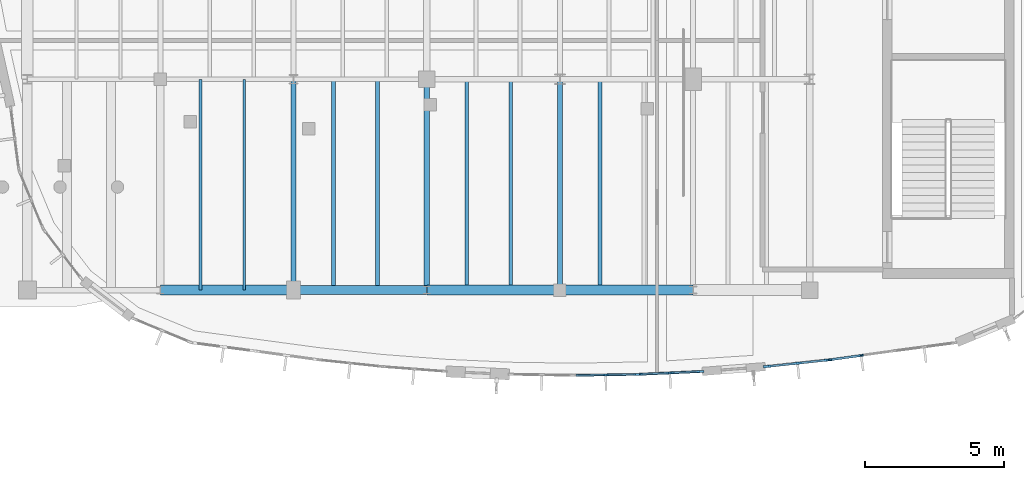
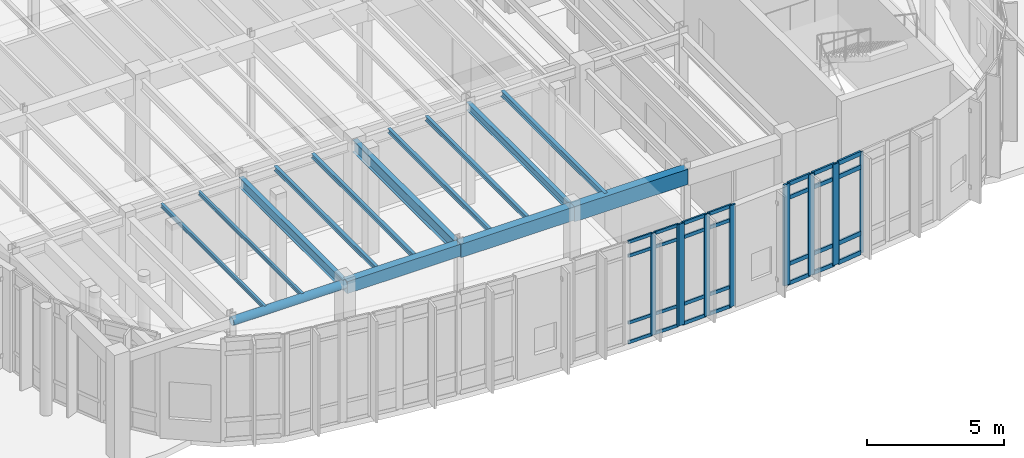
# One storey, part 56 of 120: 38 members, 14 beams, 4 elements without a shape of their own.
"""IFC4 building model written with IfcOpenShell, lengths in metres."""

import ifcopenshell
import ifcopenshell.guid

model = None  # the IFC model being written
_history = None  # IfcOwnerHistory: only IFC2X3 demands one
_inside = {}  # id of a spatial element -> (the spatial element, [elements in it])
_under = {}  # id of a project, library or spatial element -> (it, [spatial elements below it])
_declared = {}  # id of a project -> (the project, [libraries it declares])
_typed = {}  # id of a type object -> (the type object, [elements of that type])
_made_of = {}  # id of a material, layer set ... -> (it, [elements and type objects made of it])


def new_model(schema):
    """Start an empty IFC model of exactly this schema.

    Asked for "IFC4X3", IfcOpenShell would pick the latest addendum, in which some entities
    have other attributes; the version numbers below select the first issue.
    IFC2X3 requires an IfcOwnerHistory on every rooted entity: one is made here for all.
    """
    global model, _history
    if schema == "IFC4X3":
        model = ifcopenshell.file(schema_version=(4, 3, 0, 0))
    else:
        model = ifcopenshell.file(schema=schema)
    _inside.clear()
    _under.clear()
    _declared.clear()
    _typed.clear()
    _made_of.clear()
    _history = None
    if model.schema == "IFC2X3":
        org = make("IfcOrganization", Name="unknown")
        user = make(
            "IfcPersonAndOrganization",
            ThePerson=make("IfcPerson", FamilyName="unknown"),
            TheOrganization=org,
        )
        app = make(
            "IfcApplication",
            ApplicationDeveloper=org,
            Version="unknown",
            ApplicationFullName="unknown",
            ApplicationIdentifier="unknown",
        )
        _history = make(
            "IfcOwnerHistory",
            OwningUser=user,
            OwningApplication=app,
            ChangeAction="ADDED",
            CreationDate=0,
        )
    return model


def make(cls, **values):
    """One entity of the class cls with the attributes given. An attribute that is None is left unset."""
    return model.create_entity(
        cls, **{name: value for name, value in values.items() if value is not None}
    )


def rooted(cls, **values):
    """An entity with a GlobalId (a new one), such as an element, a storey or a relation."""
    return make(cls, GlobalId=ifcopenshell.guid.new(), OwnerHistory=_history, **values)


def si_unit(unit_type, name, prefix=None):
    """IfcSIUnit, for example si_unit("LENGTHUNIT", "METRE", prefix="MILLI")."""
    return make("IfcSIUnit", UnitType=unit_type, Prefix=prefix, Name=name)


def assignment(units):
    """IfcUnitAssignment: the units of a project."""
    return None if units is None else make("IfcUnitAssignment", Units=units)


def point(xyz):
    """IfcCartesianPoint."""
    return None if xyz is None else make("IfcCartesianPoint", Coordinates=xyz)


def direction(xyz):
    """IfcDirection."""
    return None if xyz is None else make("IfcDirection", DirectionRatios=xyz)


def frame(location, z_axis=None, x_axis=None):
    """IfcAxis2Placement3D, a coordinate frame: its origin and axes. An axis left out is left unset."""
    return make(
        "IfcAxis2Placement3D",
        Location=point(location),
        Axis=direction(z_axis),
        RefDirection=direction(x_axis),
    )


def frame_2d(location, x_axis=None):
    """IfcAxis2Placement2D, a coordinate frame in the plane: its origin and x axis."""
    return make(
        "IfcAxis2Placement2D", Location=point(location), RefDirection=direction(x_axis)
    )


def origin():
    """The frame at (0, 0, 0) with its axes left unset."""
    return frame((0.0, 0.0, 0.0))


def origin_2d():
    """The frame at (0, 0) in the plane with its x axis left unset."""
    return frame_2d((0.0, 0.0))


def place(relative_to, where):
    """IfcLocalPlacement: puts the frame where relative to a parent placement (None: the world)."""
    return make(
        "IfcLocalPlacement", PlacementRelTo=relative_to, RelativePlacement=where
    )


def context(
    kind, dimensions, precision=None, world=None, true_north=None, identifier=None
):
    """IfcGeometricRepresentationContext, for example the 3D "Model" context."""
    return make(
        "IfcGeometricRepresentationContext",
        ContextIdentifier=identifier,
        ContextType=kind,
        CoordinateSpaceDimension=dimensions,
        Precision=precision,
        WorldCoordinateSystem=world,
        TrueNorth=true_north,
    )


def subcontext(parent, identifier, kind, view, scale=None):
    """IfcGeometricRepresentationSubContext, for example "Body" below "Model"."""
    return make(
        "IfcGeometricRepresentationSubContext",
        ContextIdentifier=identifier,
        ContextType=kind,
        ParentContext=parent,
        TargetScale=scale,
        TargetView=view,
    )


def project(units=None, contexts=None):
    """IfcProject with its units and contexts."""
    return rooted(
        "IfcProject",
        Name="project",
        RepresentationContexts=contexts,
        UnitsInContext=assignment(units),
    )


def spatial(cls, under=None, at=None, **own):
    """A site, building, storey or space (cls), placed at a placement, below another one or the project."""
    s = rooted(cls, ObjectPlacement=at, **own)
    if under is not None:
        _under.setdefault(under.id(), (under, []))[1].append(s)
    return s


def profile(cls, at=None, kind="AREA", **sizes):
    """A parametric profile (cls). Its sizes go by their IFC names, for example OverallWidth=200.0."""
    return make(cls, ProfileType=kind, Position=at, **sizes)


def rectangle(**sizes):
    """IfcRectangleProfileDef."""
    return profile("IfcRectangleProfileDef", **sizes)


def hollow_circle(**sizes):
    """IfcCircleHollowProfileDef."""
    return profile("IfcCircleHollowProfileDef", **sizes)


def i_section(**sizes):
    """IfcIShapeProfileDef."""
    return profile("IfcIShapeProfileDef", **sizes)


def extrude(swept, where, along, depth):
    """IfcExtrudedAreaSolid: the profile swept, set in the frame where, extruded along a direction by depth."""
    return make(
        "IfcExtrudedAreaSolid",
        SweptArea=swept,
        Position=where,
        ExtrudedDirection=direction(along),
        Depth=depth,
    )


def shape(context_of_items, identifier, shape_type, items):
    """IfcShapeRepresentation: the items that make up one representation, for example the "Body"."""
    return make(
        "IfcShapeRepresentation",
        ContextOfItems=context_of_items,
        RepresentationIdentifier=identifier,
        RepresentationType=shape_type,
        Items=items,
    )


def material(Name=None, Category=None):
    """IfcMaterial."""
    return make("IfcMaterial", Name=Name, Category=Category)


def material_profile(
    of_material, cross_section, Name=None, Category=None, Priority=None
):
    """IfcMaterialProfile: a cross section and its material."""
    return make(
        "IfcMaterialProfile",
        Name=Name,
        Material=of_material,
        Profile=cross_section,
        Priority=Priority,
        Category=Category,
    )


def profile_set(profiles, Name=None, composite=None):
    """IfcMaterialProfileSet."""
    return make(
        "IfcMaterialProfileSet",
        Name=Name,
        MaterialProfiles=profiles,
        CompositeProfile=composite,
    )


def made_of(thing, what):
    """Note that an element or type object is made of a material, layer set ...; save() writes the relation."""
    if what is not None:
        _made_of.setdefault(what.id(), (what, []))[1].append(thing)
    return thing


def type_object(cls, material=None, **own):
    """A type object (cls), such as IfcWallType, which elements share."""
    return made_of(rooted(cls, **own), material)


def element(
    cls,
    number,
    at=None,
    inside=None,
    cuts=None,
    type_object=None,
    material=None,
    context=None,
    identifier="Body",
    shape_type=None,
    held_by="IfcProductDefinitionShape",
    body=None,
    shapes=None,
    **own,
):
    """One element of the class cls, such as IfcWall. Its Tag is "e" and its number.

    at: its placement. inside: the storey or other place that contains it. cuts: it is an
    opening in that element (IfcRelVoidsElement). A single representation is given by context,
    identifier, shape_type and body (its items); several are given by shapes. held_by: the class
    of the entity that holds the representations. save() writes the other relations.
    """
    e = rooted(cls, Tag="e%d" % number, ObjectPlacement=at, **own)
    if body is not None:
        shapes = [shape(context, identifier, shape_type, body)]
    if shapes is not None:
        e.Representation = make(held_by, Representations=shapes)
    if inside is not None:
        _inside.setdefault(inside.id(), (inside, []))[1].append(e)
    if cuts is not None:
        rooted(
            "IfcRelVoidsElement", RelatingBuildingElement=cuts, RelatedOpeningElement=e
        )
    if type_object is not None:
        _typed.setdefault(type_object.id(), (type_object, []))[1].append(e)
    return made_of(e, material)


def aggregate(whole, parts):
    """IfcRelAggregates: a whole, such as a stair, and the parts it consists of."""
    return rooted("IfcRelAggregates", RelatingObject=whole, RelatedObjects=parts)


def save(model, path):
    """Write the relations noted so far, then the file.

    IfcRelAggregates (storeys below a building ...), IfcRelContainedInSpatialStructure (elements
    in a storey), IfcRelDefinesByType, IfcRelAssociatesMaterial and IfcRelDeclares: one each for
    every whole, place, type object, material and project.
    """
    for whole, parts in _under.values():
        aggregate(whole, parts)
    for where, things in _inside.values():
        rooted(
            "IfcRelContainedInSpatialStructure",
            RelatedElements=things,
            RelatingStructure=where,
        )
    for kind, things in _typed.values():
        rooted("IfcRelDefinesByType", RelatedObjects=things, RelatingType=kind)
    for what, things in _made_of.values():
        rooted("IfcRelAssociatesMaterial", RelatedObjects=things, RelatingMaterial=what)
    for by, libraries in _declared.values():
        rooted("IfcRelDeclares", RelatingContext=by, RelatedDefinitions=libraries)
    model.write(path)


model = new_model("IFC4")

# Units and contexts
model_context = context("Model", 3, precision=1e-05, world=origin(), true_north=direction((0.0, 1.0)))
body_context = subcontext(model_context, "Body", "Model", "MODEL_VIEW")
ifc_project = project(units=[si_unit("LENGTHUNIT", "METRE"), si_unit("AREAUNIT", "SQUARE_METRE"), si_unit("VOLUMEUNIT", "CUBIC_METRE"), si_unit("PLANEANGLEUNIT", "RADIAN"), si_unit("MASSUNIT", "GRAM", prefix="KILO")], contexts=[model_context])

# Site, building, storey
site_placement = place(None, origin())
site = spatial("IfcSite", under=ifc_project, at=site_placement, CompositionType="ELEMENT")
building_placement = place(site_placement, origin())
building = spatial("IfcBuilding", under=site, at=building_placement, Name="Corveleigh Park Community Centre", CompositionType="ELEMENT")
storey_placement = place(building_placement, origin())
storey = spatial("IfcBuildingStorey", under=building, at=storey_placement, Name="L00", CompositionType="ELEMENT", Elevation=0.0)

# Beams
ifc_material_1 = material(Name="Steel S355", Category="steel")
ifc_material_profile_1 = material_profile(ifc_material_1, i_section(OverallWidth=0.101318359375, OverallDepth=0.177734375, WebThickness=0.0048828125, FlangeThickness=0.0078125, at=origin_2d()), Name="UKB 178x102x19", Category="steel")
ifc_profile_set_1 = profile_set([ifc_material_profile_1], Name="Steel S355")
beam_type_1 = type_object("IfcBeamType", Name="BM-STL-UKB178x19", PredefinedType="JOIST", material=ifc_profile_set_1)
for number, where, z_axis, x_axis, name in (
    (1, (136.0400390625, 58.60498046875, 4.43798828125), (0.0, 1.0, 0.0), (-1.0, 0.0, 0.0), "Secondary floor joist"),
    (2, (137.6240234375, 58.60498046875, 4.43798828125), (0.0, 1.0, 0.0), (-1.0, 0.0, 0.0), "Secondary floor joist"),
):
    element("IfcBeam", number, at=place(storey_placement, frame(where, z_axis=z_axis, x_axis=x_axis)), inside=storey, type_object=beam_type_1, Name=name, PredefinedType="JOIST", context=body_context, shape_type="SweptSolid", body=[
        extrude(i_section(OverallWidth=0.101318359375, OverallDepth=0.177734375, WebThickness=0.0048828125, FlangeThickness=0.0078125, at=origin_2d()), origin(), (0.0, 0.0, 1.0), 7.590087890625),
    ])
ifc_material_profile_2 = material_profile(ifc_material_1, i_section(OverallWidth=0.13330078125, OverallDepth=0.203125, WebThickness=0.005615234375, FlangeThickness=0.0078125, at=origin_2d()), Name="UKB 203x133x25", Category="steel")
ifc_profile_set_2 = profile_set([ifc_material_profile_2], Name="Steel S355")
beam_type_2 = type_object("IfcBeamType", Name="BM-STL-UKB203x25", PredefinedType="JOIST", material=ifc_profile_set_2)
for number, where, z_axis, x_axis, name in (
    (3, (140.840087890625, 58.60498046875, 4.42529296875), (0.0, 1.0, 0.0), (-1.0, 0.0, 0.0), "Secondary floor joist"),
    (4, (142.424072265625, 58.60498046875, 4.42529296875), (0.0, 1.0, 0.0), (-1.0, 0.0, 0.0), "Secondary floor joist"),
):
    element("IfcBeam", number, at=place(storey_placement, frame(where, z_axis=z_axis, x_axis=x_axis)), inside=storey, type_object=beam_type_2, Name=name, PredefinedType="JOIST", context=body_context, shape_type="SweptSolid", body=[
        extrude(i_section(OverallWidth=0.13330078125, OverallDepth=0.203125, WebThickness=0.005615234375, FlangeThickness=0.0078125, at=origin_2d()), origin(), (0.0, 0.0, 1.0), 7.590087890625),
    ])
ifc_material_profile_3 = material_profile(ifc_material_1, i_section(OverallWidth=0.1337890625, OverallDepth=0.206787109375, WebThickness=0.00634765625, FlangeThickness=0.009521484375, at=origin_2d()), Name="UKB 203x133x30", Category="steel")
ifc_profile_set_3 = profile_set([ifc_material_profile_3], Name="Steel S355")
beam_type_3 = type_object("IfcBeamType", Name="BM-STL-UKB203x30", PredefinedType="JOIST", material=ifc_profile_set_3)
for number, where, z_axis, x_axis, name in (
    (5, (145.639892578125, 58.60498046875, 4.423583984375), (0.0, 1.0, 0.0), (-1.0, 0.0, 0.0), "Secondary floor joist"),
    (6, (147.22412109375, 58.60498046875, 4.423583984375), (0.0, 1.0, 0.0), (-1.0, 0.0, 0.0), "Secondary floor joist"),
):
    element("IfcBeam", number, at=place(storey_placement, frame(where, z_axis=z_axis, x_axis=x_axis)), inside=storey, type_object=beam_type_3, Name=name, PredefinedType="JOIST", context=body_context, shape_type="SweptSolid", body=[
        extrude(i_section(OverallWidth=0.1337890625, OverallDepth=0.206787109375, WebThickness=0.00634765625, FlangeThickness=0.009521484375, at=origin_2d()), origin(), (0.0, 0.0, 1.0), 7.590087890625),
    ])
ifc_material_profile_4 = material_profile(ifc_material_1, i_section(OverallWidth=0.14599609375, OverallDepth=0.25146484375, WebThickness=0.006103515625, FlangeThickness=0.008544921875, at=origin_2d()), Name="UKB 254x146x31", Category="steel")
ifc_profile_set_4 = profile_set([ifc_material_profile_4], Name="Steel S355")
beam_type_4 = type_object("IfcBeamType", Name="BM-STL-UKB254x31", PredefinedType="JOIST", material=ifc_profile_set_4)
beam_1_placement = place(storey_placement, frame((150.43994140625, 58.60498046875, 4.4013671875), z_axis=(0.0, 1.0, 0.0), x_axis=(-1.0, 0.0, 0.0)))
element("IfcBeam", 7, at=beam_1_placement, inside=storey, type_object=beam_type_4, Name="Secondary floor joist", PredefinedType="JOIST", context=body_context, shape_type="SweptSolid", body=[
    extrude(i_section(OverallWidth=0.14599609375, OverallDepth=0.25146484375, WebThickness=0.006103515625, FlangeThickness=0.008544921875, at=origin_2d()), origin(), (0.0, 0.0, 1.0), 7.590087890625),
])
ifc_material_profile_5 = material_profile(ifc_material_1, i_section(OverallWidth=0.172119140625, OverallDepth=0.35791015625, WebThickness=0.008056640625, FlangeThickness=0.012939453125, at=origin_2d()), Name="UKB 356x171x57", Category="steel")
ifc_profile_set_5 = profile_set([ifc_material_profile_5], Name="Steel S355")
beam_type_5 = type_object("IfcBeamType", Name="BM-STL-UKB356x57", PredefinedType="BEAM", material=ifc_profile_set_5)
beam_2_placement = place(storey_placement, frame((149.0, 58.60498046875, 4.347900390625), z_axis=(0.0, 1.0, 0.0), x_axis=(-1.0, 0.0, 0.0)))
element("IfcBeam", 8, at=beam_2_placement, inside=storey, type_object=beam_type_5, Name="V4 Girder Y", PredefinedType="BEAM", context=body_context, shape_type="SweptSolid", body=[
    extrude(i_section(OverallWidth=0.172119140625, OverallDepth=0.35791015625, WebThickness=0.008056640625, FlangeThickness=0.012939453125, at=origin_2d()), origin(), (0.0, 0.0, 1.0), 7.590087890625),
])
ifc_material_profile_6 = material_profile(ifc_material_1, i_section(OverallWidth=0.18994140625, OverallDepth=0.453369140625, WebThickness=0.008544921875, FlangeThickness=0.0126953125, at=origin_2d()), Name="UKB 457x191x67", Category="steel")
ifc_profile_set_6 = profile_set([ifc_material_profile_6], Name="Steel S355")
beam_type_6 = type_object("IfcBeamType", Name="BM-STL-UKB457x67", PredefinedType="BEAM", material=ifc_profile_set_6)
beam_3_placement = place(storey_placement, frame((139.39990234375, 58.60498046875, 4.30029296875), z_axis=(0.0, 1.0, 0.0), x_axis=(-1.0, 0.0, 0.0)))
element("IfcBeam", 9, at=beam_3_placement, inside=storey, type_object=beam_type_6, Name="V4 Girder Y", PredefinedType="BEAM", context=body_context, shape_type="SweptSolid", body=[
    extrude(i_section(OverallWidth=0.18994140625, OverallDepth=0.453369140625, WebThickness=0.008544921875, FlangeThickness=0.0126953125, at=origin_2d()), origin(), (0.0, 0.0, 1.0), 7.590087890625),
])
ifc_material_profile_7 = material_profile(ifc_material_1, i_section(OverallWidth=0.210693359375, OverallDepth=0.53955078125, WebThickness=0.01171875, FlangeThickness=0.018798828125, at=origin_2d()), Name="UKB 533x210x109", Category="steel")
ifc_profile_set_7 = profile_set([ifc_material_profile_7], Name="Steel S355")
beam_type_7 = type_object("IfcBeamType", Name="BM-STL-UKB533x109", PredefinedType="BEAM", material=ifc_profile_set_7)
beam_4_placement = place(storey_placement, frame((144.199951171875, 58.60498046875, 4.257080078125), z_axis=(0.0, 1.0, 0.0), x_axis=(-1.0, 0.0, 0.0)))
element("IfcBeam", 10, at=beam_4_placement, inside=storey, type_object=beam_type_7, Name="V4 Girder Y", PredefinedType="BEAM", context=body_context, shape_type="SweptSolid", body=[
    extrude(i_section(OverallWidth=0.210693359375, OverallDepth=0.53955078125, WebThickness=0.01171875, FlangeThickness=0.018798828125, at=origin_2d()), origin(), (0.0, 0.0, 1.0), 7.590087890625),
])

# Curtain wall, members
ifc_material_2 = material(Name="Anodised aluminium 6063-T6", Category="aluminium")
curtain_wall_type = type_object("IfcCurtainWallType", Name="CW-SYS-V4-L00", PredefinedType="NOTDEFINED", material=ifc_material_2)
curtain_wall_1_placement = place(storey_placement, origin())
curtain_wall_1 = element("IfcCurtainWall", 11, at=curtain_wall_1_placement, inside=storey, type_object=curtain_wall_type, Name="V4 L00 Curtain Wall 115", PredefinedType="NOTDEFINED")
ifc_material_profile_8 = material_profile(ifc_material_2, rectangle(XDim=0.06005859375, YDim=0.159912109375, at=origin_2d()), Name="ALU-M60x160", Category="aluminium")
ifc_profile_set_8 = profile_set([ifc_material_profile_8], Name="Anodised aluminium 6063-T6")
member_type_1 = type_object("IfcMemberType", Name="CWM-60x160", PredefinedType="MULLION", material=ifc_profile_set_8)
member_1_placement = place(storey_placement, frame((159.857421875, 56.242431640625, 0.0), z_axis=(0.0, 0.0, 1.0), x_axis=(0.136534069852, -0.990635375791, 0.0)))
member_1 = element("IfcMember", 12, at=member_1_placement, type_object=member_type_1, Name="CW07 mullion 2", PredefinedType="MULLION", context=body_context, shape_type="SweptSolid", body=[
    extrude(rectangle(XDim=0.06005859375, YDim=0.159912109375, at=origin_2d()), origin(), (0.0, 0.0, 1.0), 4.511962890625),
])
member_2_placement = place(storey_placement, frame((158.751708984375, 56.090087890625, 0.0), z_axis=(0.0, 0.0, 1.0), x_axis=(0.136534069852, -0.990635375791, 0.0)))
member_2 = element("IfcMember", 13, at=member_2_placement, type_object=member_type_1, Name="CW07 mullion 3", PredefinedType="MULLION", context=body_context, shape_type="SweptSolid", body=[
    extrude(rectangle(XDim=0.06005859375, YDim=0.159912109375, at=origin_2d()), origin(), (0.0, 0.0, 1.0), 4.511962890625),
])

curtain_wall_2_placement = place(storey_placement, origin())
curtain_wall_2 = element("IfcCurtainWall", 14, at=curtain_wall_2_placement, inside=storey, type_object=curtain_wall_type, Name="V4 L00 Curtain Wall 112", PredefinedType="NOTDEFINED")
ifc_material_profile_9 = material_profile(ifc_material_2, rectangle(XDim=0.074951171875, YDim=0.219970703125, at=origin_2d()), Name="ALU-M75x220", Category="aluminium")
ifc_profile_set_9 = profile_set([ifc_material_profile_9], Name="Anodised aluminium 6063-T6")
member_type_2 = type_object("IfcMemberType", Name="CWM-75x220", PredefinedType="MULLION", material=ifc_profile_set_9)
member_3_placement = place(storey_placement, frame((151.762451171875, 55.559326171875, 0.0), z_axis=(0.0, 0.0, 1.0), x_axis=(0.01571172252, -0.999876563269, 0.0)))
member_3 = element("IfcMember", 15, at=member_3_placement, type_object=member_type_2, Name="CW07 mullion 1", PredefinedType="MULLION", context=body_context, shape_type="SweptSolid", body=[
    extrude(rectangle(XDim=0.074951171875, YDim=0.219970703125, at=origin_2d()), origin(), (0.0, 0.0, 1.0), 4.537109375),
])
member_4_placement = place(storey_placement, frame((150.654541015625, 55.5419921875, 0.0), z_axis=(0.0, 0.0, 1.0), x_axis=(0.01571172252, -0.999876563269, 0.0)))
member_4 = element("IfcMember", 16, at=member_4_placement, type_object=member_type_2, Name="CW07 mullion 2", PredefinedType="MULLION", context=body_context, shape_type="SweptSolid", body=[
    extrude(rectangle(XDim=0.074951171875, YDim=0.219970703125, at=origin_2d()), origin(), (0.0, 0.0, 1.0), 4.537109375),
])

curtain_wall_3_placement = place(storey_placement, origin())
curtain_wall_3 = element("IfcCurtainWall", 17, at=curtain_wall_3_placement, inside=storey, type_object=curtain_wall_type, Name="V4 L00 Curtain Wall 113", PredefinedType="NOTDEFINED")
ifc_material_profile_10 = material_profile(ifc_material_2, rectangle(XDim=0.080078125, YDim=0.25, at=origin_2d()), Name="ALU-M80x250", Category="aluminium")
ifc_profile_set_10 = profile_set([ifc_material_profile_10], Name="Anodised aluminium 6063-T6")
member_type_3 = type_object("IfcMemberType", Name="CWM-80x250", PredefinedType="MULLION", material=ifc_profile_set_10)
member_5_placement = place(storey_placement, frame((154.066162109375, 55.6630859375, 0.0), z_axis=(0.0, 0.0, 1.0), x_axis=(0.045843359805, -0.998948640502, 0.0)))
member_5 = element("IfcMember", 18, at=member_5_placement, type_object=member_type_3, Name="CW07 mullion 1", PredefinedType="MULLION", context=body_context, shape_type="SweptSolid", body=[
    extrude(rectangle(XDim=0.080078125, YDim=0.25, at=origin_2d()), origin(), (0.0, 0.0, 1.0), 4.537109375),
])
member_6_placement = place(storey_placement, frame((152.9619140625, 55.612548828125, 0.0), z_axis=(0.0, 0.0, 1.0), x_axis=(0.045843359805, -0.998948640502, 0.0)))
member_6 = element("IfcMember", 19, at=member_6_placement, type_object=member_type_3, Name="CW07 mullion 2", PredefinedType="MULLION", context=body_context, shape_type="SweptSolid", body=[
    extrude(rectangle(XDim=0.080078125, YDim=0.25, at=origin_2d()), origin(), (0.0, 0.0, 1.0), 4.537109375),
])
member_7_placement = place(storey_placement, frame((151.85791015625, 55.561767578125, 0.0), z_axis=(0.0, 0.0, 1.0), x_axis=(0.045843359805, -0.998948640502, 0.0)))
member_7 = element("IfcMember", 20, at=member_7_placement, type_object=member_type_3, Name="CW07 mullion 3", PredefinedType="MULLION", context=body_context, shape_type="SweptSolid", body=[
    extrude(rectangle(XDim=0.080078125, YDim=0.25, at=origin_2d()), origin(), (0.0, 0.0, 1.0), 4.537109375),
])

curtain_wall_4_placement = place(storey_placement, origin())
curtain_wall_4 = element("IfcCurtainWall", 21, at=curtain_wall_4_placement, inside=storey, type_object=curtain_wall_type, Name="V4 L00 Curtain Wall 114", PredefinedType="NOTDEFINED")
ifc_material_profile_11 = material_profile(ifc_material_2, rectangle(XDim=0.0849609375, YDim=0.27490234375, at=origin_2d()), Name="ALU-M85x275", Category="aluminium")
ifc_profile_set_11 = profile_set([ifc_material_profile_11], Name="Anodised aluminium 6063-T6")
member_type_4 = type_object("IfcMemberType", Name="CWM-85x275", PredefinedType="MULLION", material=ifc_profile_set_11)
member_8_placement = place(storey_placement, frame((158.66162109375, 56.07958984375, 0.0), z_axis=(0.0, 0.0, 1.0), x_axis=(0.106070735992, -0.994358586711, 0.0)))
member_8 = element("IfcMember", 22, at=member_8_placement, type_object=member_type_4, Name="CW07 mullion 1", PredefinedType="MULLION", context=body_context, shape_type="SweptSolid", body=[
    extrude(rectangle(XDim=0.0849609375, YDim=0.27490234375, at=origin_2d()), origin(), (0.0, 0.0, 1.0), 4.511962890625),
])
member_9_placement = place(storey_placement, frame((157.56494140625, 55.96240234375, 0.0), z_axis=(0.0, 0.0, 1.0), x_axis=(0.106070735992, -0.994358586711, 0.0)))
member_9 = element("IfcMember", 23, at=member_9_placement, type_object=member_type_4, Name="CW07 mullion 2", PredefinedType="MULLION", context=body_context, shape_type="SweptSolid", body=[
    extrude(rectangle(XDim=0.0849609375, YDim=0.27490234375, at=origin_2d()), origin(), (0.0, 0.0, 1.0), 4.511962890625),
])
member_10_placement = place(storey_placement, frame((156.46826171875, 55.845458984375, 0.0), z_axis=(0.0, 0.0, 1.0), x_axis=(0.106070735992, -0.994358586711, 0.0)))
member_10 = element("IfcMember", 24, at=member_10_placement, type_object=member_type_4, Name="CW07 mullion 3", PredefinedType="MULLION", context=body_context, shape_type="SweptSolid", body=[
    extrude(rectangle(XDim=0.0849609375, YDim=0.27490234375, at=origin_2d()), origin(), (0.0, 0.0, 1.0), 4.511962890625),
])

# Member
ifc_material_profile_12 = material_profile(ifc_material_2, rectangle(XDim=0.06494140625, YDim=0.139892578125, at=origin_2d()), Name="ALU-T65x140", Category="aluminium")
ifc_profile_set_12 = profile_set([ifc_material_profile_12], Name="Anodised aluminium 6063-T6")
member_type_5 = type_object("IfcMemberType", Name="CWT-65x140", PredefinedType="USERDEFINED", material=ifc_profile_set_12)
member_11_placement = place(storey_placement, frame((151.72509765625, 55.558837890625, 0.032470703125), z_axis=(-0.999874701272, -0.015829774335, 0.0), x_axis=(0.015829774335, -0.999874701272, 0.0)))
member_11 = element("IfcMember", 25, at=member_11_placement, type_object=member_type_5, Name="CW07 transom 1.1", ObjectType="TRANSOM", PredefinedType="USERDEFINED", context=body_context, shape_type="SweptSolid", body=[
    extrude(rectangle(XDim=0.06494140625, YDim=0.139892578125, at=origin_2d()), origin(), (0.0, 0.0, 1.0), 1.033447265625),
])

member_12_placement = place(storey_placement, frame((151.72509765625, 55.558837890625, 0.89990234375), z_axis=(-0.999874701272, -0.015829774335, 0.0), x_axis=(0.015829774335, -0.999874701272, 0.0)))
member_12 = element("IfcMember", 26, at=member_12_placement, type_object=member_type_5, Name="CW07 transom 1.2", ObjectType="TRANSOM", PredefinedType="USERDEFINED", context=body_context, shape_type="SweptSolid", body=[
    extrude(rectangle(XDim=0.06494140625, YDim=0.139892578125, at=origin_2d()), origin(), (0.0, 0.0, 1.0), 1.033447265625),
])

member_13_placement = place(storey_placement, frame((151.72509765625, 55.558837890625, 3.886962890625), z_axis=(-0.999874701272, -0.015829774335, 0.0), x_axis=(0.015829774335, -0.999874701272, 0.0)))
member_13 = element("IfcMember", 27, at=member_13_placement, type_object=member_type_5, Name="CW07 transom 1.3", ObjectType="TRANSOM", PredefinedType="USERDEFINED", context=body_context, shape_type="SweptSolid", body=[
    extrude(rectangle(XDim=0.06494140625, YDim=0.139892578125, at=origin_2d()), origin(), (0.0, 0.0, 1.0), 1.033447265625),
])

member_14_placement = place(storey_placement, frame((151.72509765625, 55.558837890625, 4.50439453125), z_axis=(-0.999874701272, -0.015829774335, 0.0), x_axis=(0.015829774335, -0.999874701272, 0.0)))
member_14 = element("IfcMember", 28, at=member_14_placement, type_object=member_type_5, Name="CW07 transom 1.4", ObjectType="TRANSOM", PredefinedType="USERDEFINED", context=body_context, shape_type="SweptSolid", body=[
    extrude(rectangle(XDim=0.06494140625, YDim=0.139892578125, at=origin_2d()), origin(), (0.0, 0.0, 1.0), 1.033447265625),
])

member_15_placement = place(storey_placement, frame((150.616943359375, 55.54150390625, 0.032470703125), z_axis=(-0.999874642048, -0.015833514776, 0.0), x_axis=(0.015833514776, -0.999874642048, 0.0)))
member_15 = element("IfcMember", 29, at=member_15_placement, type_object=member_type_5, Name="CW07 transom 2.1", ObjectType="TRANSOM", PredefinedType="USERDEFINED", context=body_context, shape_type="SweptSolid", body=[
    extrude(rectangle(XDim=0.06494140625, YDim=0.139892578125, at=origin_2d()), origin(), (0.0, 0.0, 1.0), 1.033203125),
])

member_16_placement = place(storey_placement, frame((150.616943359375, 55.54150390625, 0.89990234375), z_axis=(-0.999874642048, -0.015833514776, 0.0), x_axis=(0.015833514776, -0.999874642048, 0.0)))
member_16 = element("IfcMember", 30, at=member_16_placement, type_object=member_type_5, Name="CW07 transom 2.2", ObjectType="TRANSOM", PredefinedType="USERDEFINED", context=body_context, shape_type="SweptSolid", body=[
    extrude(rectangle(XDim=0.06494140625, YDim=0.139892578125, at=origin_2d()), origin(), (0.0, 0.0, 1.0), 1.033203125),
])

member_17_placement = place(storey_placement, frame((150.616943359375, 55.54150390625, 3.886962890625), z_axis=(-0.999874642048, -0.015833514776, 0.0), x_axis=(0.015833514776, -0.999874642048, 0.0)))
member_17 = element("IfcMember", 31, at=member_17_placement, type_object=member_type_5, Name="CW07 transom 2.3", ObjectType="TRANSOM", PredefinedType="USERDEFINED", context=body_context, shape_type="SweptSolid", body=[
    extrude(rectangle(XDim=0.06494140625, YDim=0.139892578125, at=origin_2d()), origin(), (0.0, 0.0, 1.0), 1.033203125),
])

member_18_placement = place(storey_placement, frame((150.616943359375, 55.54150390625, 4.50439453125), z_axis=(-0.999874642048, -0.015833514776, 0.0), x_axis=(0.015833514776, -0.999874642048, 0.0)))
member_18 = element("IfcMember", 32, at=member_18_placement, type_object=member_type_5, Name="CW07 transom 2.4", ObjectType="TRANSOM", PredefinedType="USERDEFINED", context=body_context, shape_type="SweptSolid", body=[
    extrude(rectangle(XDim=0.06494140625, YDim=0.139892578125, at=origin_2d()), origin(), (0.0, 0.0, 1.0), 1.033203125),
])

aggregate(curtain_wall_2, [member_3, member_4, member_11, member_12, member_13, member_14, member_15, member_16, member_17, member_18])

ifc_material_profile_13 = material_profile(ifc_material_2, rectangle(XDim=0.070068359375, YDim=0.155029296875, at=origin_2d()), Name="ALU-T70x155", Category="aluminium")
ifc_profile_set_13 = profile_set([ifc_material_profile_13], Name="Anodised aluminium 6063-T6")
member_type_6 = type_object("IfcMemberType", Name="CWT-70x155", PredefinedType="USERDEFINED", material=ifc_profile_set_13)
member_19_placement = place(storey_placement, frame((154.026123046875, 55.661376953125, 0.034912109375), z_axis=(-0.998943348144, -0.045958537829, 0.0), x_axis=(0.045958537829, -0.998943348144, 0.0)))
member_19 = element("IfcMember", 33, at=member_19_placement, type_object=member_type_6, Name="CW07 transom 1.1", ObjectType="TRANSOM", PredefinedType="USERDEFINED", context=body_context, shape_type="SweptSolid", body=[
    extrude(rectangle(XDim=0.070068359375, YDim=0.155029296875, at=origin_2d()), origin(), (0.0, 0.0, 1.0), 1.025146484375),
])

member_20_placement = place(storey_placement, frame((154.026123046875, 55.661376953125, 0.89990234375), z_axis=(-0.998943348144, -0.045958537829, 0.0), x_axis=(0.045958537829, -0.998943348144, 0.0)))
member_20 = element("IfcMember", 34, at=member_20_placement, type_object=member_type_6, Name="CW07 transom 1.2", ObjectType="TRANSOM", PredefinedType="USERDEFINED", context=body_context, shape_type="SweptSolid", body=[
    extrude(rectangle(XDim=0.070068359375, YDim=0.155029296875, at=origin_2d()), origin(), (0.0, 0.0, 1.0), 1.025146484375),
])

member_21_placement = place(storey_placement, frame((154.026123046875, 55.661376953125, 3.886962890625), z_axis=(-0.998943348144, -0.045958537829, 0.0), x_axis=(0.045958537829, -0.998943348144, 0.0)))
member_21 = element("IfcMember", 35, at=member_21_placement, type_object=member_type_6, Name="CW07 transom 1.3", ObjectType="TRANSOM", PredefinedType="USERDEFINED", context=body_context, shape_type="SweptSolid", body=[
    extrude(rectangle(XDim=0.070068359375, YDim=0.155029296875, at=origin_2d()), origin(), (0.0, 0.0, 1.0), 1.025146484375),
])

member_22_placement = place(storey_placement, frame((154.026123046875, 55.661376953125, 4.501953125), z_axis=(-0.998943348144, -0.045958537829, 0.0), x_axis=(0.045958537829, -0.998943348144, 0.0)))
member_22 = element("IfcMember", 36, at=member_22_placement, type_object=member_type_6, Name="CW07 transom 1.4", ObjectType="TRANSOM", PredefinedType="USERDEFINED", context=body_context, shape_type="SweptSolid", body=[
    extrude(rectangle(XDim=0.070068359375, YDim=0.155029296875, at=origin_2d()), origin(), (0.0, 0.0, 1.0), 1.025146484375),
])

member_23_placement = place(storey_placement, frame((152.922119140625, 55.610595703125, 0.034912109375), z_axis=(-0.998954252411, -0.045720909765, 0.0), x_axis=(0.045720909765, -0.998954252411, 0.0)))
member_23 = element("IfcMember", 37, at=member_23_placement, type_object=member_type_6, Name="CW07 transom 2.1", ObjectType="TRANSOM", PredefinedType="USERDEFINED", context=body_context, shape_type="SweptSolid", body=[
    extrude(rectangle(XDim=0.070068359375, YDim=0.155029296875, at=origin_2d()), origin(), (0.0, 0.0, 1.0), 1.025146484375),
])

member_24_placement = place(storey_placement, frame((152.922119140625, 55.610595703125, 0.89990234375), z_axis=(-0.998954252411, -0.045720909765, 0.0), x_axis=(0.045720909765, -0.998954252411, 0.0)))
member_24 = element("IfcMember", 38, at=member_24_placement, type_object=member_type_6, Name="CW07 transom 2.2", ObjectType="TRANSOM", PredefinedType="USERDEFINED", context=body_context, shape_type="SweptSolid", body=[
    extrude(rectangle(XDim=0.070068359375, YDim=0.155029296875, at=origin_2d()), origin(), (0.0, 0.0, 1.0), 1.025146484375),
])

member_25_placement = place(storey_placement, frame((152.922119140625, 55.610595703125, 3.886962890625), z_axis=(-0.998954252411, -0.045720909765, 0.0), x_axis=(0.045720909765, -0.998954252411, 0.0)))
member_25 = element("IfcMember", 39, at=member_25_placement, type_object=member_type_6, Name="CW07 transom 2.3", ObjectType="TRANSOM", PredefinedType="USERDEFINED", context=body_context, shape_type="SweptSolid", body=[
    extrude(rectangle(XDim=0.070068359375, YDim=0.155029296875, at=origin_2d()), origin(), (0.0, 0.0, 1.0), 1.025146484375),
])

member_26_placement = place(storey_placement, frame((152.922119140625, 55.610595703125, 4.501953125), z_axis=(-0.998954252411, -0.045720909765, 0.0), x_axis=(0.045720909765, -0.998954252411, 0.0)))
member_26 = element("IfcMember", 40, at=member_26_placement, type_object=member_type_6, Name="CW07 transom 2.4", ObjectType="TRANSOM", PredefinedType="USERDEFINED", context=body_context, shape_type="SweptSolid", body=[
    extrude(rectangle(XDim=0.070068359375, YDim=0.155029296875, at=origin_2d()), origin(), (0.0, 0.0, 1.0), 1.025146484375),
])

aggregate(curtain_wall_3, [member_5, member_6, member_7, member_19, member_20, member_21, member_22, member_23, member_24, member_25, member_26])

ifc_material_profile_14 = material_profile(ifc_material_2, rectangle(XDim=0.074951171875, YDim=0.175048828125, at=origin_2d()), Name="ALU-T75x175", Category="aluminium")
ifc_profile_set_14 = profile_set([ifc_material_profile_14], Name="Anodised aluminium 6063-T6")
member_type_7 = type_object("IfcMemberType", Name="CWT-75x175", PredefinedType="USERDEFINED", material=ifc_profile_set_14)
member_27_placement = place(storey_placement, frame((158.619384765625, 56.074951171875, 0.03759765625), z_axis=(-0.994365269685, -0.106008067825, 0.0), x_axis=(0.106008067825, -0.994365269685, 0.0)))
member_27 = element("IfcMember", 41, at=member_27_placement, type_object=member_type_7, Name="CW07 transom 1.1", ObjectType="TRANSOM", PredefinedType="USERDEFINED", context=body_context, shape_type="SweptSolid", body=[
    extrude(rectangle(XDim=0.074951171875, YDim=0.175048828125, at=origin_2d()), origin(), (0.0, 0.0, 1.0), 1.017822265625),
])

member_28_placement = place(storey_placement, frame((158.619384765625, 56.074951171875, 0.89990234375), z_axis=(-0.994365269685, -0.106008067825, 0.0), x_axis=(0.106008067825, -0.994365269685, 0.0)))
member_28 = element("IfcMember", 42, at=member_28_placement, type_object=member_type_7, Name="CW07 transom 1.2", ObjectType="TRANSOM", PredefinedType="USERDEFINED", context=body_context, shape_type="SweptSolid", body=[
    extrude(rectangle(XDim=0.074951171875, YDim=0.175048828125, at=origin_2d()), origin(), (0.0, 0.0, 1.0), 1.017822265625),
])

member_29_placement = place(storey_placement, frame((158.619384765625, 56.074951171875, 3.862060546875), z_axis=(-0.994365269685, -0.106008067825, 0.0), x_axis=(0.106008067825, -0.994365269685, 0.0)))
member_29 = element("IfcMember", 43, at=member_29_placement, type_object=member_type_7, Name="CW07 transom 1.3", ObjectType="TRANSOM", PredefinedType="USERDEFINED", context=body_context, shape_type="SweptSolid", body=[
    extrude(rectangle(XDim=0.074951171875, YDim=0.175048828125, at=origin_2d()), origin(), (0.0, 0.0, 1.0), 1.017822265625),
])

member_30_placement = place(storey_placement, frame((158.619384765625, 56.074951171875, 4.474609375), z_axis=(-0.994365269685, -0.106008067825, 0.0), x_axis=(0.106008067825, -0.994365269685, 0.0)))
member_30 = element("IfcMember", 44, at=member_30_placement, type_object=member_type_7, Name="CW07 transom 1.4", ObjectType="TRANSOM", PredefinedType="USERDEFINED", context=body_context, shape_type="SweptSolid", body=[
    extrude(rectangle(XDim=0.074951171875, YDim=0.175048828125, at=origin_2d()), origin(), (0.0, 0.0, 1.0), 1.017822265625),
])

member_31_placement = place(storey_placement, frame((157.522705078125, 55.9580078125, 0.03759765625), z_axis=(-0.994365269685, -0.106008067825, 0.0), x_axis=(0.106008067825, -0.994365269685, 0.0)))
member_31 = element("IfcMember", 45, at=member_31_placement, type_object=member_type_7, Name="CW07 transom 2.1", ObjectType="TRANSOM", PredefinedType="USERDEFINED", context=body_context, shape_type="SweptSolid", body=[
    extrude(rectangle(XDim=0.074951171875, YDim=0.175048828125, at=origin_2d()), origin(), (0.0, 0.0, 1.0), 1.017822265625),
])

member_32_placement = place(storey_placement, frame((157.522705078125, 55.9580078125, 0.89990234375), z_axis=(-0.994365269685, -0.106008067825, 0.0), x_axis=(0.106008067825, -0.994365269685, 0.0)))
member_32 = element("IfcMember", 46, at=member_32_placement, type_object=member_type_7, Name="CW07 transom 2.2", ObjectType="TRANSOM", PredefinedType="USERDEFINED", context=body_context, shape_type="SweptSolid", body=[
    extrude(rectangle(XDim=0.074951171875, YDim=0.175048828125, at=origin_2d()), origin(), (0.0, 0.0, 1.0), 1.017822265625),
])

member_33_placement = place(storey_placement, frame((157.522705078125, 55.9580078125, 3.862060546875), z_axis=(-0.994365269685, -0.106008067825, 0.0), x_axis=(0.106008067825, -0.994365269685, 0.0)))
member_33 = element("IfcMember", 47, at=member_33_placement, type_object=member_type_7, Name="CW07 transom 2.3", ObjectType="TRANSOM", PredefinedType="USERDEFINED", context=body_context, shape_type="SweptSolid", body=[
    extrude(rectangle(XDim=0.074951171875, YDim=0.175048828125, at=origin_2d()), origin(), (0.0, 0.0, 1.0), 1.017822265625),
])

member_34_placement = place(storey_placement, frame((157.522705078125, 55.9580078125, 4.474609375), z_axis=(-0.994365269685, -0.106008067825, 0.0), x_axis=(0.106008067825, -0.994365269685, 0.0)))
member_34 = element("IfcMember", 48, at=member_34_placement, type_object=member_type_7, Name="CW07 transom 2.4", ObjectType="TRANSOM", PredefinedType="USERDEFINED", context=body_context, shape_type="SweptSolid", body=[
    extrude(rectangle(XDim=0.074951171875, YDim=0.175048828125, at=origin_2d()), origin(), (0.0, 0.0, 1.0), 1.017822265625),
])

aggregate(curtain_wall_4, [member_8, member_9, member_10, member_27, member_28, member_29, member_30, member_31, member_32, member_33, member_34])

ifc_material_profile_15 = material_profile(ifc_material_2, rectangle(XDim=0.080078125, YDim=0.195068359375, at=origin_2d()), Name="ALU-T80x195", Category="aluminium")
ifc_profile_set_15 = profile_set([ifc_material_profile_15], Name="Anodised aluminium 6063-T6")
member_type_8 = type_object("IfcMemberType", Name="CWT-80x195", PredefinedType="USERDEFINED", material=ifc_profile_set_15)
member_35_placement = place(storey_placement, frame((159.827880859375, 56.238525390625, 0.0400390625), z_axis=(-0.990626522422, -0.136598290889, 0.0), x_axis=(0.136598290889, -0.990626522422, 0.0)))
member_35 = element("IfcMember", 49, at=member_35_placement, type_object=member_type_8, Name="CW07 transom 2.1", ObjectType="TRANSOM", PredefinedType="USERDEFINED", context=body_context, shape_type="SweptSolid", body=[
    extrude(rectangle(XDim=0.080078125, YDim=0.195068359375, at=origin_2d()), origin(), (0.0, 0.0, 1.0), 1.056396484375),
])

member_36_placement = place(storey_placement, frame((159.827880859375, 56.238525390625, 0.89990234375), z_axis=(-0.990626522422, -0.136598290889, 0.0), x_axis=(0.136598290889, -0.990626522422, 0.0)))
member_36 = element("IfcMember", 50, at=member_36_placement, type_object=member_type_8, Name="CW07 transom 2.2", ObjectType="TRANSOM", PredefinedType="USERDEFINED", context=body_context, shape_type="SweptSolid", body=[
    extrude(rectangle(XDim=0.080078125, YDim=0.195068359375, at=origin_2d()), origin(), (0.0, 0.0, 1.0), 1.056396484375),
])

member_37_placement = place(storey_placement, frame((159.827880859375, 56.238525390625, 3.862060546875), z_axis=(-0.990626522422, -0.136598290889, 0.0), x_axis=(0.136598290889, -0.990626522422, 0.0)))
member_37 = element("IfcMember", 51, at=member_37_placement, type_object=member_type_8, Name="CW07 transom 2.3", ObjectType="TRANSOM", PredefinedType="USERDEFINED", context=body_context, shape_type="SweptSolid", body=[
    extrude(rectangle(XDim=0.080078125, YDim=0.195068359375, at=origin_2d()), origin(), (0.0, 0.0, 1.0), 1.056396484375),
])

member_38_placement = place(storey_placement, frame((159.827880859375, 56.238525390625, 4.471923828125), z_axis=(-0.990626522422, -0.136598290889, 0.0), x_axis=(0.136598290889, -0.990626522422, 0.0)))
member_38 = element("IfcMember", 52, at=member_38_placement, type_object=member_type_8, Name="CW07 transom 2.4", ObjectType="TRANSOM", PredefinedType="USERDEFINED", context=body_context, shape_type="SweptSolid", body=[
    extrude(rectangle(XDim=0.080078125, YDim=0.195068359375, at=origin_2d()), origin(), (0.0, 0.0, 1.0), 1.056396484375),
])

aggregate(curtain_wall_1, [member_1, member_2, member_35, member_36, member_37, member_38])

# Beams
ifc_material_3 = material(Name="Concrete C40/50", Category="concrete")
ifc_material_profile_16 = material_profile(ifc_material_3, rectangle(XDim=0.320068359375, YDim=0.5400390625, at=origin_2d()), Name="RC-320x540", Category="concrete")
ifc_profile_set_16 = profile_set([ifc_material_profile_16], Name="Concrete C40/50")
beam_type_8 = type_object("IfcBeamType", Name="SP-RC-320x540", PredefinedType="SPANDREL", material=ifc_profile_set_16)
beam_5_placement = place(storey_placement, frame((139.405029296875, 58.60009765625, 4.257080078125), z_axis=(1.0, 0.0, 0.0), x_axis=(0.0, 1.0, 0.0)))
element("IfcBeam", 53, at=beam_5_placement, inside=storey, type_object=beam_type_8, Name="V4 Girder X", PredefinedType="SPANDREL", context=body_context, shape_type="SweptSolid", body=[
    extrude(rectangle(XDim=0.320068359375, YDim=0.5400390625, at=origin_2d()), origin(), (0.0, 0.0, 1.0), 4.7900390625),
])
ifc_material_profile_17 = material_profile(ifc_material_3, rectangle(XDim=0.35009765625, YDim=0.60009765625, at=origin_2d()), Name="RC-350x600", Category="concrete")
ifc_profile_set_17 = profile_set([ifc_material_profile_17], Name="Concrete C40/50")
beam_type_9 = type_object("IfcBeamType", Name="SP-RC-350x600", PredefinedType="SPANDREL", material=ifc_profile_set_17)
beam_6_placement = place(storey_placement, frame((144.205078125, 58.60009765625, 4.22705078125), z_axis=(1.0, 0.0, 0.0), x_axis=(0.0, 1.0, 0.0)))
element("IfcBeam", 54, at=beam_6_placement, inside=storey, type_object=beam_type_9, Name="V4 Girder X", PredefinedType="SPANDREL", context=body_context, shape_type="SweptSolid", body=[
    extrude(rectangle(XDim=0.35009765625, YDim=0.60009765625, at=origin_2d()), origin(), (0.0, 0.0, 1.0), 4.7900390625),
])
ifc_material_profile_18 = material_profile(ifc_material_3, rectangle(XDim=0.35009765625, YDim=0.679931640625, at=origin_2d()), Name="RC-350x680", Category="concrete")
ifc_profile_set_18 = profile_set([ifc_material_profile_18], Name="Concrete C40/50")
beam_type_10 = type_object("IfcBeamType", Name="SP-RC-350x680", PredefinedType="SPANDREL", material=ifc_profile_set_18)
beam_7_placement = place(storey_placement, frame((149.0048828125, 58.60009765625, 4.18701171875), z_axis=(1.0, 0.0, 0.0), x_axis=(0.0, 1.0, 0.0)))
element("IfcBeam", 55, at=beam_7_placement, inside=storey, type_object=beam_type_10, Name="V4 Girder X", PredefinedType="SPANDREL", context=body_context, shape_type="SweptSolid", body=[
    extrude(rectangle(XDim=0.35009765625, YDim=0.679931640625, at=origin_2d()), origin(), (0.0, 0.0, 1.0), 4.7900390625),
])
ifc_material_profile_19 = material_profile(ifc_material_1, hollow_circle(Radius=0.177734375, WallThickness=0.01611328125, at=origin_2d()), Name="CHS 355.6x16.0", Category="steel")
ifc_profile_set_19 = profile_set([ifc_material_profile_19], Name="Steel S355")
beam_type_11 = type_object("IfcBeamType", Name="SP-STL-CHS356R", PredefinedType="SPANDREL", material=ifc_profile_set_19)
beam_8_placement = place(storey_placement, frame((134.60498046875, 58.60009765625, 4.34912109375), z_axis=(1.0, 0.0, 0.0), x_axis=(0.0, 1.0, 0.0)))
element("IfcBeam", 56, at=beam_8_placement, inside=storey, type_object=beam_type_11, Name="V4 Girder X", PredefinedType="SPANDREL", context=body_context, shape_type="SweptSolid", body=[
    extrude(hollow_circle(Radius=0.177734375, WallThickness=0.01611328125, at=origin_2d()), origin(), (0.0, 0.0, 1.0), 4.7900390625),
])

save(model, "model.ifc")
